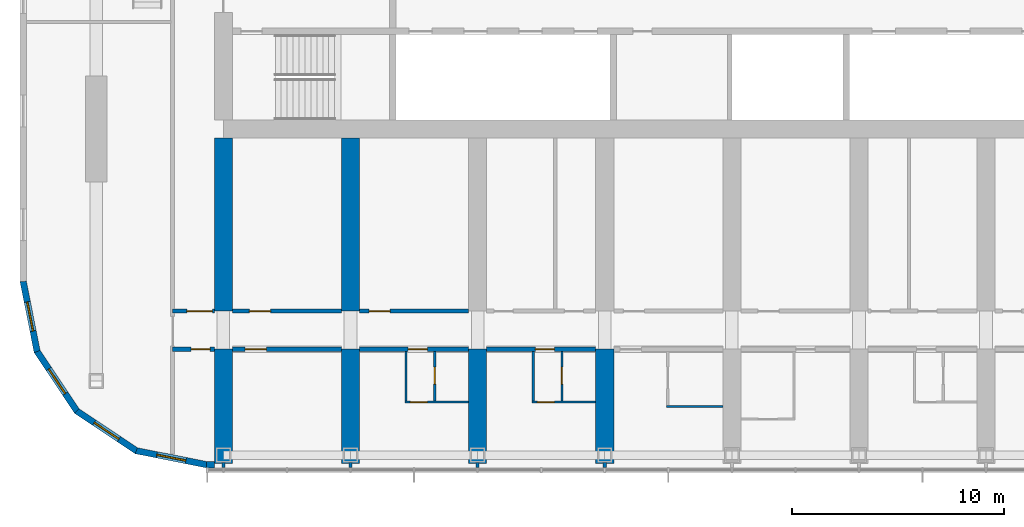
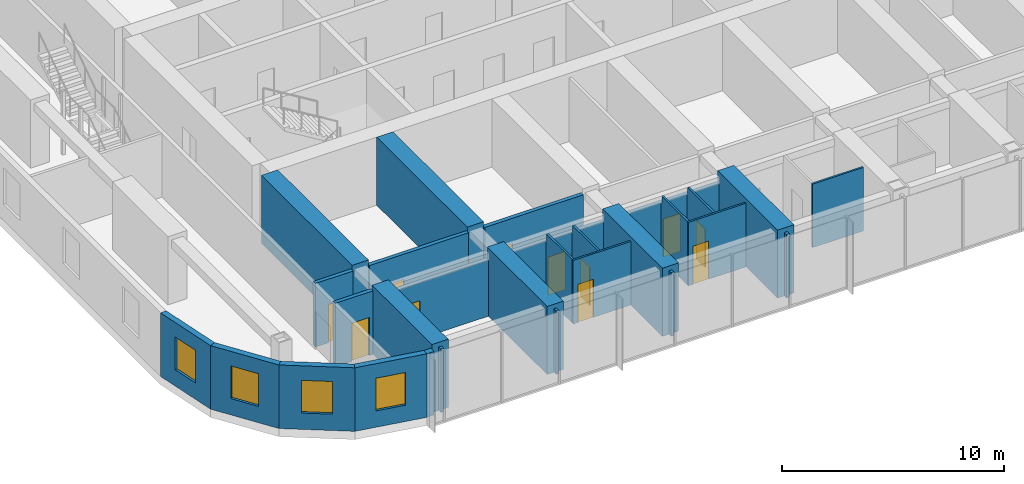
# One storey, part 12 of 27: 29 walls, 11 doors, 4 windows, 15 openings.
"""IFC4 building model written with IfcOpenShell, lengths in metres."""

from ifc_helpers import new_model, si_unit, direction, frame, frame_2d, origin, place, context, subcontext, project, spatial, polyline, rectangle, outline, extrude, material, layer, layer_set, type_object, element, fill, save


model = new_model("IFC4")

# Units and contexts
model_context = context("Model", 3, precision=1e-05, world=origin(), true_north=direction((0.0, 1.0)))
body_context = subcontext(model_context, "Body", "Model", "MODEL_VIEW")
ifc_project = project(units=[si_unit("LENGTHUNIT", "METRE"), si_unit("AREAUNIT", "SQUARE_METRE"), si_unit("VOLUMEUNIT", "CUBIC_METRE"), si_unit("PLANEANGLEUNIT", "RADIAN"), si_unit("MASSUNIT", "GRAM", prefix="KILO")], contexts=[model_context])

# Site, building, storey
site_placement = place(None, origin())
site = spatial("IfcSite", under=ifc_project, at=site_placement, CompositionType="ELEMENT")
building_placement = place(site_placement, origin())
building = spatial("IfcBuilding", under=site, at=building_placement, Name="Orbita Commons", CompositionType="ELEMENT")
storey_placement = place(building_placement, frame((0.0, 0.0, 178.60009765625)))
storey = spatial("IfcBuildingStorey", under=building, at=storey_placement, Name="L44", CompositionType="ELEMENT", Elevation=178.60009765625)

# Wall, opening, door
ifc_material_1 = material(Name="Concrete blockwork", Category="masonry")
ifc_layer_1 = layer(ifc_material_1, 0.199951171875)
ifc_layer_set_1 = layer_set([ifc_layer_1], Name="Concrete blockwork")
wall_type_1 = type_object("IfcWallType", Name="Corridor wall 200 blockwork", PredefinedType="SOLIDWALL", material=ifc_layer_set_1)
wall_1_placement = place(storey_placement, frame((15.60009765625, 15.39990234375, 0.0), z_axis=(0.0, 0.0, 1.0), x_axis=(1.0, 0.0, 0.0)))
wall_1 = element("IfcWall", 1, at=wall_1_placement, inside=storey, type_object=wall_type_1, Name="Corridor wall 200 blockwork L44", PredefinedType="SOLIDWALL", context=body_context, shape_type="SweptSolid", body=[
    extrude(rectangle(XDim=1.974853515625, YDim=0.199951171875, at=frame_2d((0.9873046875, 0.0))), origin(), (0.0, 0.0, 1.0), 3.5),
])
opening_1_placement = place(wall_1_placement, frame((0.875, 0.0, 0.0)))
opening_1 = element("IfcOpeningElement", 2, at=opening_1_placement, cuts=wall_1, Name="Opening D05", PredefinedType="OPENING", context=body_context, shape_type="SweptSolid", body=[
    extrude(rectangle(XDim=0.89990234375, YDim=2.10009765625, at=frame_2d((0.449951171875, 1.050048828125))), frame((0.0, 0.10986328125, 0.0), z_axis=(0.0, -1.0, 0.0), x_axis=(1.0, 0.0, 0.0)), (0.0, 0.0, 1.0), 0.219970703125),
])
ifc_material_2 = material(Name="Steel-faced fire door leaf", Category="steel")
door_type_1 = type_object("IfcDoorType", Name="Service door 20 min 900x2100", OperationType="SINGLE_SWING_LEFT", PredefinedType="DOOR", material=ifc_material_2)
door_1_placement = place(opening_1_placement, origin())
door_1 = element("IfcDoor", 3, at=door_1_placement, inside=storey, type_object=door_type_1, Name="Linen store L44-KWS door", OperationType="SINGLE_SWING_LEFT", OverallHeight=2.10009765625, OverallWidth=0.89990234375, PredefinedType="DOOR", context=body_context, shape_type="SweptSolid", body=[
    extrude(rectangle(XDim=0.89990234375, YDim=2.10009765625, at=frame_2d((0.449951171875, 1.050048828125))), frame((0.0, 0.02490234375, 0.0), z_axis=(0.0, -1.0, 0.0), x_axis=(1.0, 0.0, 0.0)), (0.0, 0.0, 1.0), 0.050048828125),
])
fill(opening_1, door_1)

wall_2_placement = place(storey_placement, frame((18.425048828125, 15.39990234375, 0.0), z_axis=(0.0, 0.0, 1.0), x_axis=(1.0, 0.0, 0.0)))
wall_2 = element("IfcWall", 4, at=wall_2_placement, inside=storey, type_object=wall_type_1, Name="Corridor wall 200 blockwork L44", PredefinedType="SOLIDWALL", context=body_context, shape_type="SweptSolid", body=[
    extrude(outline(polyline([(0.0, 0.0), (5.14990234375, 0.0), (5.14990234375, 3.099853515625), (0.0, 3.099853515625), (0.0, 0.0)])), frame((0.0, 0.10009765625, 0.0), z_axis=(0.0, -1.0, 0.0), x_axis=(1.0, 0.0, 0.0)), (0.0, 0.0, 1.0), 0.199951171875),
])
opening_2_placement = place(wall_2_placement, frame((0.60009765625, 0.0, 0.0)))
opening_2 = element("IfcOpeningElement", 5, at=opening_2_placement, cuts=wall_2, Name="Opening D06", PredefinedType="OPENING", context=body_context, shape_type="SweptSolid", body=[
    extrude(rectangle(XDim=1.0, YDim=2.10009765625, at=frame_2d((0.5, 1.050048828125))), frame((0.0, 0.10986328125, 0.0), z_axis=(0.0, -1.0, 0.0), x_axis=(1.0, 0.0, 0.0)), (0.0, 0.0, 1.0), 0.219970703125),
])
ifc_material_3 = material(Name="Steel-faced fire door leaf", Category="steel")
door_type_2 = type_object("IfcDoorType", Name="Corridor door 20 min 1000x2100", OperationType="SINGLE_SWING_LEFT", PredefinedType="DOOR", material=ifc_material_3)
door_2_placement = place(opening_2_placement, origin())
door_2 = element("IfcDoor", 6, at=door_2_placement, inside=storey, type_object=door_type_2, Name="Mountain-view lounge L44-S00 door", OperationType="SINGLE_SWING_LEFT", OverallHeight=2.10009765625, OverallWidth=1.0, PredefinedType="DOOR", context=body_context, shape_type="SweptSolid", body=[
    extrude(rectangle(XDim=1.0, YDim=2.10009765625, at=frame_2d((0.5, 1.050048828125))), frame((0.0, 0.02490234375, 0.0), z_axis=(0.0, -1.0, 0.0), x_axis=(1.0, 0.0, 0.0)), (0.0, 0.0, 1.0), 0.050048828125),
])
fill(opening_2, door_2)

wall_3_placement = place(storey_placement, frame((24.425048828125, 15.39990234375, 0.0), z_axis=(0.0, 0.0, 1.0), x_axis=(1.0, 0.0, 0.0)))
wall_3 = element("IfcWall", 7, at=wall_3_placement, inside=storey, type_object=wall_type_1, Name="Corridor wall 200 blockwork L44", PredefinedType="SOLIDWALL", context=body_context, shape_type="SweptSolid", body=[
    extrude(outline(polyline([(0.0, 0.0), (5.14990234375, 0.0), (5.14990234375, 3.099853515625), (0.0, 3.099853515625), (0.0, 0.0)])), frame((0.0, 0.10009765625, 0.0), z_axis=(0.0, -1.0, 0.0), x_axis=(1.0, 0.0, 0.0)), (0.0, 0.0, 1.0), 0.199951171875),
])
opening_3_placement = place(wall_3_placement, frame((2.300048828125, 0.0, 0.0)))
opening_3 = element("IfcOpeningElement", 8, at=opening_3_placement, cuts=wall_3, Name="Opening D11", PredefinedType="OPENING", context=body_context, shape_type="SweptSolid", body=[
    extrude(rectangle(XDim=0.89990234375, YDim=2.10009765625, at=frame_2d((0.449951171875, 1.050048828125))), frame((0.0, 0.10986328125, 0.0), z_axis=(0.0, -1.0, 0.0), x_axis=(1.0, 0.0, 0.0)), (0.0, 0.0, 1.0), 0.219970703125),
])
ifc_material_4 = material(Name="Steel-faced fire door leaf", Category="steel")
door_type_3 = type_object("IfcDoorType", Name="Corridor door 20 min 900x2100", OperationType="SINGLE_SWING_LEFT", PredefinedType="DOOR", material=ifc_material_4)
door_3_placement = place(opening_3_placement, origin())
door_3 = element("IfcDoor", 9, at=door_3_placement, inside=storey, type_object=door_type_3, Name="Studio flat L44-S02 entrance door", OperationType="SINGLE_SWING_LEFT", OverallHeight=2.10009765625, OverallWidth=0.89990234375, PredefinedType="DOOR", context=body_context, shape_type="SweptSolid", body=[
    extrude(rectangle(XDim=0.89990234375, YDim=2.10009765625, at=frame_2d((0.449951171875, 1.050048828125))), frame((0.0, 0.02490234375, 0.0), z_axis=(0.0, -1.0, 0.0), x_axis=(1.0, 0.0, 0.0)), (0.0, 0.0, 1.0), 0.050048828125),
])
fill(opening_3, door_3)

wall_4_placement = place(storey_placement, frame((30.425048828125, 15.39990234375, 0.0), z_axis=(0.0, 0.0, 1.0), x_axis=(1.0, 0.0, 0.0)))
wall_4 = element("IfcWall", 10, at=wall_4_placement, inside=storey, type_object=wall_type_1, Name="Corridor wall 200 blockwork L44", PredefinedType="SOLIDWALL", context=body_context, shape_type="SweptSolid", body=[
    extrude(outline(polyline([(0.0, 0.0), (5.14990234375, 0.0), (5.14990234375, 3.099853515625), (0.0, 3.099853515625), (0.0, 0.0)])), frame((0.0, 0.10009765625, 0.0), z_axis=(0.0, -1.0, 0.0), x_axis=(1.0, 0.0, 0.0)), (0.0, 0.0, 1.0), 0.199951171875),
])
opening_4_placement = place(wall_4_placement, frame((2.300048828125, 0.0, 0.0)))
opening_4 = element("IfcOpeningElement", 11, at=opening_4_placement, cuts=wall_4, Name="Opening D11", PredefinedType="OPENING", context=body_context, shape_type="SweptSolid", body=[
    extrude(rectangle(XDim=0.89990234375, YDim=2.10009765625, at=frame_2d((0.449951171875, 1.050048828125))), frame((0.0, 0.10986328125, 0.0), z_axis=(0.0, -1.0, 0.0), x_axis=(1.0, 0.0, 0.0)), (0.0, 0.0, 1.0), 0.219970703125),
])
door_4_placement = place(opening_4_placement, origin())
door_4 = element("IfcDoor", 12, at=door_4_placement, inside=storey, type_object=door_type_3, Name="Studio flat L44-S04 entrance door", OperationType="SINGLE_SWING_LEFT", OverallHeight=2.10009765625, OverallWidth=0.89990234375, PredefinedType="DOOR", context=body_context, shape_type="SweptSolid", body=[
    extrude(rectangle(XDim=0.89990234375, YDim=2.10009765625, at=frame_2d((0.449951171875, 1.050048828125))), frame((0.0, 0.02490234375, 0.0), z_axis=(0.0, -1.0, 0.0), x_axis=(1.0, 0.0, 0.0)), (0.0, 0.0, 1.0), 0.050048828125),
])
fill(opening_4, door_4)

ifc_material_5 = material(Name="Hollow concrete block 200", Category="concrete")
ifc_layer_2 = layer(ifc_material_5, 0.199951171875)
ifc_layer_set_2 = layer_set([ifc_layer_2], Name="Hollow concrete block 200")
wall_type_2 = type_object("IfcWallType", Name="Corridor wall 200 hollow concrete block", PredefinedType="SOLIDWALL", material=ifc_layer_set_2)
wall_5_placement = place(storey_placement, frame((15.60009765625, 17.199951171875, 0.0), z_axis=(0.0, 0.0, 1.0), x_axis=(1.0, 0.0, 0.0)))
wall_5 = element("IfcWall", 13, at=wall_5_placement, inside=storey, type_object=wall_type_2, Name="Corridor wall 200 hollow concrete block L44", PredefinedType="SOLIDWALL", context=body_context, shape_type="SweptSolid", body=[
    extrude(rectangle(XDim=1.974853515625, YDim=0.199951171875, at=frame_2d((0.9873046875, 0.0))), origin(), (0.0, 0.0, 1.0), 3.5),
])
opening_5_placement = place(wall_5_placement, frame((0.675048828125, 0.0, 0.0)))
opening_5 = element("IfcOpeningElement", 14, at=opening_5_placement, cuts=wall_5, Name="Opening D12", PredefinedType="OPENING", context=body_context, shape_type="SweptSolid", body=[
    extrude(rectangle(XDim=1.199951171875, YDim=2.10009765625, at=frame_2d((0.60009765625, 1.050048828125))), frame((0.0, 0.10986328125, 0.0), z_axis=(0.0, -1.0, 0.0), x_axis=(1.0, 0.0, 0.0)), (0.0, 0.0, 1.0), 0.219970703125),
])
ifc_material_6 = material(Name="Steel-faced fire door leaf", Category="steel")
door_type_4 = type_object("IfcDoorType", Name="Double corridor door 20 min 1200x2100", OperationType="DOUBLE_DOOR_SINGLE_SWING", PredefinedType="DOOR", material=ifc_material_6)
door_5_placement = place(opening_5_placement, origin())
door_5 = element("IfcDoor", 15, at=door_5_placement, inside=storey, type_object=door_type_4, Name="Cross corridor doors", OperationType="DOUBLE_DOOR_SINGLE_SWING", OverallHeight=2.10009765625, OverallWidth=1.199951171875, PredefinedType="DOOR", context=body_context, shape_type="SweptSolid", body=[
    extrude(rectangle(XDim=1.199951171875, YDim=2.10009765625, at=frame_2d((0.60009765625, 1.050048828125))), frame((0.0, 0.02490234375, 0.0), z_axis=(0.0, -1.0, 0.0), x_axis=(1.0, 0.0, 0.0)), (0.0, 0.0, 1.0), 0.050048828125),
])
fill(opening_5, door_5)

wall_6_placement = place(storey_placement, frame((18.425048828125, 17.199951171875, 0.0), z_axis=(0.0, 0.0, 1.0), x_axis=(1.0, 0.0, 0.0)))
wall_6 = element("IfcWall", 16, at=wall_6_placement, inside=storey, type_object=wall_type_2, Name="Corridor wall 200 hollow concrete block L44", PredefinedType="SOLIDWALL", context=body_context, shape_type="SweptSolid", body=[
    extrude(rectangle(XDim=5.14990234375, YDim=0.199951171875, at=frame_2d((2.574951171875, 0.0))), origin(), (0.0, 0.0, 1.0), 3.5),
])
opening_6_placement = place(wall_6_placement, frame((0.800048828125, 0.0, 0.0)))
opening_6 = element("IfcOpeningElement", 17, at=opening_6_placement, cuts=wall_6, Name="Opening D06", PredefinedType="OPENING", context=body_context, shape_type="SweptSolid", body=[
    extrude(rectangle(XDim=1.0, YDim=2.10009765625, at=frame_2d((0.5, 1.050048828125))), frame((0.0, 0.10986328125, 0.0), z_axis=(0.0, -1.0, 0.0), x_axis=(1.0, 0.0, 0.0)), (0.0, 0.0, 1.0), 0.219970703125),
])
door_6_placement = place(opening_6_placement, origin())
door_6 = element("IfcDoor", 18, at=door_6_placement, inside=storey, type_object=door_type_2, Name="Bulk and luggage store L44-BDS18 door", OperationType="SINGLE_SWING_LEFT", OverallHeight=2.10009765625, OverallWidth=1.0, PredefinedType="DOOR", context=body_context, shape_type="SweptSolid", body=[
    extrude(rectangle(XDim=1.0, YDim=2.10009765625, at=frame_2d((0.5, 1.050048828125))), frame((0.0, 0.02490234375, 0.0), z_axis=(0.0, -1.0, 0.0), x_axis=(1.0, 0.0, 0.0)), (0.0, 0.0, 1.0), 0.050048828125),
])
fill(opening_6, door_6)

wall_7_placement = place(storey_placement, frame((24.425048828125, 17.199951171875, 0.0), z_axis=(0.0, 0.0, 1.0), x_axis=(1.0, 0.0, 0.0)))
wall_7 = element("IfcWall", 19, at=wall_7_placement, inside=storey, type_object=wall_type_2, Name="Corridor wall 200 hollow concrete block L44", PredefinedType="SOLIDWALL", context=body_context, shape_type="SweptSolid", body=[
    extrude(rectangle(XDim=5.14990234375, YDim=0.199951171875, at=frame_2d((2.574951171875, 0.0))), origin(), (0.0, 0.0, 1.0), 3.5),
])
opening_7_placement = place(wall_7_placement, frame((0.449951171875, 0.0, 0.0)))
opening_7 = element("IfcOpeningElement", 20, at=opening_7_placement, cuts=wall_7, Name="Opening D06", PredefinedType="OPENING", context=body_context, shape_type="SweptSolid", body=[
    extrude(rectangle(XDim=1.0, YDim=2.10009765625, at=frame_2d((0.5, 1.050048828125))), frame((0.0, 0.10986328125, 0.0), z_axis=(0.0, -1.0, 0.0), x_axis=(1.0, 0.0, 0.0)), (0.0, 0.0, 1.0), 0.219970703125),
])
door_7_placement = place(opening_7_placement, origin())
door_7 = element("IfcDoor", 21, at=door_7_placement, inside=storey, type_object=door_type_2, Name="Parcel and post room L44-BDS24 door", OperationType="SINGLE_SWING_LEFT", OverallHeight=2.10009765625, OverallWidth=1.0, PredefinedType="DOOR", context=body_context, shape_type="SweptSolid", body=[
    extrude(rectangle(XDim=1.0, YDim=2.10009765625, at=frame_2d((0.5, 1.050048828125))), frame((0.0, 0.02490234375, 0.0), z_axis=(0.0, -1.0, 0.0), x_axis=(1.0, 0.0, 0.0)), (0.0, 0.0, 1.0), 0.050048828125),
])
fill(opening_7, door_7)

# Walls
ifc_material_7 = material(Name="Concrete C50/60", Category="concrete")
ifc_layer_3 = layer(ifc_material_7, 0.85009765625)
ifc_layer_set_3 = layer_set([ifc_layer_3], Name="Concrete C50/60")
wall_type_3 = type_object("IfcWallType", Name="Cross wall 850 C50/60", PredefinedType="SHEAR", material=ifc_layer_set_3)
wall_8_placement = place(storey_placement, frame((18.0, 10.0, 0.0), z_axis=(0.0, 0.0, 1.0), x_axis=(0.0, 1.0, 0.0)))
element("IfcWall", 22, at=wall_8_placement, inside=storey, type_object=wall_type_3, Name="Cross wall 4 south outer L44", PredefinedType="SHEAR", context=body_context, shape_type="SweptSolid", body=[
    extrude(rectangle(XDim=5.39990234375, YDim=0.85009765625, at=frame_2d((2.699951171875, 0.0))), origin(), (0.0, 0.0, 1.0), 3.75),
])
wall_9_placement = place(storey_placement, frame((18.0, 17.199951171875, 0.0), z_axis=(0.0, 0.0, 1.0), x_axis=(0.0, 1.0, 0.0)))
element("IfcWall", 23, at=wall_9_placement, inside=storey, type_object=wall_type_3, Name="Cross wall 4 south inner L44", PredefinedType="SHEAR", context=body_context, shape_type="SweptSolid", body=[
    extrude(rectangle(XDim=8.175048828125, YDim=0.85009765625, at=frame_2d((4.08740234375, 0.0))), origin(), (0.0, 0.0, 1.0), 3.75),
])
wall_10_placement = place(storey_placement, frame((24.0, 10.0, 0.0), z_axis=(0.0, 0.0, 1.0), x_axis=(0.0, 1.0, 0.0)))
element("IfcWall", 24, at=wall_10_placement, inside=storey, type_object=wall_type_3, Name="Cross wall 5 south outer L44", PredefinedType="SHEAR", context=body_context, shape_type="SweptSolid", body=[
    extrude(rectangle(XDim=5.39990234375, YDim=0.85009765625, at=frame_2d((2.699951171875, 0.0))), origin(), (0.0, 0.0, 1.0), 3.75),
])
wall_11_placement = place(storey_placement, frame((24.0, 17.199951171875, 0.0), z_axis=(0.0, 0.0, 1.0), x_axis=(0.0, 1.0, 0.0)))
element("IfcWall", 25, at=wall_11_placement, inside=storey, type_object=wall_type_3, Name="Cross wall 5 south inner L44", PredefinedType="SHEAR", context=body_context, shape_type="SweptSolid", body=[
    extrude(rectangle(XDim=8.175048828125, YDim=0.85009765625, at=frame_2d((4.08740234375, 0.0))), origin(), (0.0, 0.0, 1.0), 3.75),
])
for number, where, z_axis, x_axis, name in (
    (26, (30.0, 10.0, 0.0), (0.0, 0.0, 1.0), (0.0, 1.0, 0.0), "Cross wall 6 south outer L44"),
    (27, (36.0, 10.0, 0.0), (0.0, 0.0, 1.0), (0.0, 1.0, 0.0), "Cross wall 7 south outer L44"),
):
    element("IfcWall", number, at=place(storey_placement, frame(where, z_axis=z_axis, x_axis=x_axis)), inside=storey, type_object=wall_type_3, Name=name, PredefinedType="SHEAR", context=body_context, shape_type="SweptSolid", body=[
        extrude(rectangle(XDim=5.39990234375, YDim=0.85009765625, at=frame_2d((2.699951171875, 0.0))), origin(), (0.0, 0.0, 1.0), 3.75),
    ])

# Wall, opening, door
ifc_material_8 = material(Name="Moisture-resistant plasterboard on steel studs", Category="steel")
ifc_layer_4 = layer(ifc_material_8, 0.10009765625)
ifc_layer_set_4 = layer_set([ifc_layer_4], Name="Moisture-resistant plasterboard on steel studs")
wall_type_4 = type_object("IfcWallType", Name="En-suite partition 100", PredefinedType="PARTITIONING", material=ifc_layer_set_4)
wall_12_placement = place(storey_placement, frame((29.574951171875, 12.89990234375, 0.0), z_axis=(0.0, 0.0, 1.0), x_axis=(-1.0, 0.0, 0.0)))
wall_12 = element("IfcWall", 28, at=wall_12_placement, inside=storey, type_object=wall_type_4, Name="En-suite partition 100 L44", PredefinedType="PARTITIONING", context=body_context, shape_type="SweptSolid", body=[
    extrude(rectangle(XDim=3.0, YDim=0.10009765625, at=frame_2d((1.5, 0.0))), origin(), (0.0, 0.0, 1.0), 3.5),
])
opening_8_placement = place(wall_12_placement, frame((1.949951171875, 0.0, 0.0)))
opening_8 = element("IfcOpeningElement", 29, at=opening_8_placement, cuts=wall_12, Name="Opening D16", PredefinedType="OPENING", context=body_context, shape_type="SweptSolid", body=[
    extrude(rectangle(XDim=0.800048828125, YDim=2.10009765625, at=frame_2d((0.39990234375, 1.050048828125))), frame((0.0, 0.06005859375, 0.0), z_axis=(0.0, -1.0, 0.0), x_axis=(1.0, 0.0, 0.0)), (0.0, 0.0, 1.0), 0.1201171875),
])
ifc_material_9 = material(Name="Laminated timber door leaf", Category="wood")
door_type_5 = type_object("IfcDoorType", Name="En-suite door 800x2100", OperationType="SINGLE_SWING_RIGHT", PredefinedType="DOOR", material=ifc_material_9)
door_8_placement = place(opening_8_placement, origin())
door_8 = element("IfcDoor", 30, at=door_8_placement, inside=storey, type_object=door_type_5, Name="Studio flat L44-S02 door", OperationType="SINGLE_SWING_RIGHT", OverallHeight=2.10009765625, OverallWidth=0.800048828125, PredefinedType="DOOR", context=body_context, shape_type="SweptSolid", body=[
    extrude(rectangle(XDim=0.800048828125, YDim=2.10009765625, at=frame_2d((0.39990234375, 1.050048828125))), frame((0.0, 0.02490234375, 0.0), z_axis=(0.0, -1.0, 0.0), x_axis=(1.0, 0.0, 0.0)), (0.0, 0.0, 1.0), 0.050048828125),
])
fill(opening_8, door_8)

# Wall
wall_13_placement = place(storey_placement, frame((26.625, 12.949951171875, 0.0), z_axis=(0.0, 0.0, 1.0), x_axis=(0.0, 1.0, 0.0)))
element("IfcWall", 31, at=wall_13_placement, inside=storey, type_object=wall_type_4, Name="En-suite partition 100 L44", PredefinedType="PARTITIONING", context=body_context, shape_type="SweptSolid", body=[
    extrude(outline(polyline([(0.0, 0.0), (2.35009765625, 0.0), (2.35009765625, 3.099853515625), (2.302001953125, 3.099853515625), (2.300048828125, 3.5), (0.0, 3.5), (0.0, 0.0)])), frame((0.0, 0.050048828125, 0.0), z_axis=(0.0, -1.0, 0.0), x_axis=(1.0, 0.0, 0.0)), (0.0, 0.0, 1.0), 0.10009765625),
])

# Wall, opening, door
wall_14_placement = place(storey_placement, frame((27.97509765625, 12.949951171875, 0.0), z_axis=(0.0, 0.0, 1.0), x_axis=(0.0, 1.0, 0.0)))
wall_14 = element("IfcWall", 32, at=wall_14_placement, inside=storey, type_object=wall_type_4, Name="En-suite partition 100 L44", PredefinedType="PARTITIONING", context=body_context, shape_type="SweptSolid", body=[
    extrude(outline(polyline([(0.0, 0.0), (2.35009765625, 0.0), (2.35009765625, 3.099853515625), (2.302001953125, 3.099853515625), (2.300048828125, 3.5), (0.0, 3.5), (0.0, 0.0)])), frame((0.0, 0.050048828125, 0.0), z_axis=(0.0, -1.0, 0.0), x_axis=(1.0, 0.0, 0.0)), (0.0, 0.0, 1.0), 0.10009765625),
])
opening_9_placement = place(wall_14_placement, frame((0.800048828125, 0.0, 0.0)))
opening_9 = element("IfcOpeningElement", 33, at=opening_9_placement, cuts=wall_14, Name="Opening D16", PredefinedType="OPENING", context=body_context, shape_type="SweptSolid", body=[
    extrude(rectangle(XDim=0.800048828125, YDim=2.10009765625, at=frame_2d((0.39990234375, 1.050048828125))), frame((0.0, 0.06005859375, 0.0), z_axis=(0.0, -1.0, 0.0), x_axis=(1.0, 0.0, 0.0)), (0.0, 0.0, 1.0), 0.1201171875),
])
door_9_placement = place(opening_9_placement, origin())
door_9 = element("IfcDoor", 34, at=door_9_placement, inside=storey, type_object=door_type_5, Name="Studio flat shower room L44-S02 door", OperationType="SINGLE_SWING_RIGHT", OverallHeight=2.10009765625, OverallWidth=0.800048828125, PredefinedType="DOOR", context=body_context, shape_type="SweptSolid", body=[
    extrude(rectangle(XDim=0.800048828125, YDim=2.10009765625, at=frame_2d((0.39990234375, 1.050048828125))), frame((0.0, 0.02490234375, 0.0), z_axis=(0.0, -1.0, 0.0), x_axis=(1.0, 0.0, 0.0)), (0.0, 0.0, 1.0), 0.050048828125),
])
fill(opening_9, door_9)

wall_15_placement = place(storey_placement, frame((35.574951171875, 12.89990234375, 0.0), z_axis=(0.0, 0.0, 1.0), x_axis=(-1.0, 0.0, 0.0)))
wall_15 = element("IfcWall", 35, at=wall_15_placement, inside=storey, type_object=wall_type_4, Name="En-suite partition 100 L44", PredefinedType="PARTITIONING", context=body_context, shape_type="SweptSolid", body=[
    extrude(rectangle(XDim=3.0, YDim=0.10009765625, at=frame_2d((1.5, 0.0))), origin(), (0.0, 0.0, 1.0), 3.5),
])
opening_10_placement = place(wall_15_placement, frame((1.949951171875, 0.0, 0.0)))
opening_10 = element("IfcOpeningElement", 36, at=opening_10_placement, cuts=wall_15, Name="Opening D16", PredefinedType="OPENING", context=body_context, shape_type="SweptSolid", body=[
    extrude(rectangle(XDim=0.800048828125, YDim=2.10009765625, at=frame_2d((0.39990234375, 1.050048828125))), frame((0.0, 0.06005859375, 0.0), z_axis=(0.0, -1.0, 0.0), x_axis=(1.0, 0.0, 0.0)), (0.0, 0.0, 1.0), 0.1201171875),
])
door_10_placement = place(opening_10_placement, origin())
door_10 = element("IfcDoor", 37, at=door_10_placement, inside=storey, type_object=door_type_5, Name="Studio flat L44-S04 door", OperationType="SINGLE_SWING_RIGHT", OverallHeight=2.10009765625, OverallWidth=0.800048828125, PredefinedType="DOOR", context=body_context, shape_type="SweptSolid", body=[
    extrude(rectangle(XDim=0.800048828125, YDim=2.10009765625, at=frame_2d((0.39990234375, 1.050048828125))), frame((0.0, 0.02490234375, 0.0), z_axis=(0.0, -1.0, 0.0), x_axis=(1.0, 0.0, 0.0)), (0.0, 0.0, 1.0), 0.050048828125),
])
fill(opening_10, door_10)

# Wall
wall_16_placement = place(storey_placement, frame((32.625, 12.949951171875, 0.0), z_axis=(0.0, 0.0, 1.0), x_axis=(0.0, 1.0, 0.0)))
element("IfcWall", 38, at=wall_16_placement, inside=storey, type_object=wall_type_4, Name="En-suite partition 100 L44", PredefinedType="PARTITIONING", context=body_context, shape_type="SweptSolid", body=[
    extrude(outline(polyline([(0.0, 0.0), (2.35009765625, 0.0), (2.35009765625, 3.099853515625), (2.302001953125, 3.099853515625), (2.300048828125, 3.5), (0.0, 3.5), (0.0, 0.0)])), frame((0.0, 0.050048828125, 0.0), z_axis=(0.0, -1.0, 0.0), x_axis=(1.0, 0.0, 0.0)), (0.0, 0.0, 1.0), 0.10009765625),
])

# Wall, opening, door
wall_17_placement = place(storey_placement, frame((33.97509765625, 12.949951171875, 0.0), z_axis=(0.0, 0.0, 1.0), x_axis=(0.0, 1.0, 0.0)))
wall_17 = element("IfcWall", 39, at=wall_17_placement, inside=storey, type_object=wall_type_4, Name="En-suite partition 100 L44", PredefinedType="PARTITIONING", context=body_context, shape_type="SweptSolid", body=[
    extrude(outline(polyline([(0.0, 0.0), (2.35009765625, 0.0), (2.35009765625, 3.099853515625), (2.302001953125, 3.099853515625), (2.300048828125, 3.5), (0.0, 3.5), (0.0, 0.0)])), frame((0.0, 0.050048828125, 0.0), z_axis=(0.0, -1.0, 0.0), x_axis=(1.0, 0.0, 0.0)), (0.0, 0.0, 1.0), 0.10009765625),
])
opening_11_placement = place(wall_17_placement, frame((0.800048828125, 0.0, 0.0)))
opening_11 = element("IfcOpeningElement", 40, at=opening_11_placement, cuts=wall_17, Name="Opening D16", PredefinedType="OPENING", context=body_context, shape_type="SweptSolid", body=[
    extrude(rectangle(XDim=0.800048828125, YDim=2.10009765625, at=frame_2d((0.39990234375, 1.050048828125))), frame((0.0, 0.06005859375, 0.0), z_axis=(0.0, -1.0, 0.0), x_axis=(1.0, 0.0, 0.0)), (0.0, 0.0, 1.0), 0.1201171875),
])
door_11_placement = place(opening_11_placement, origin())
door_11 = element("IfcDoor", 41, at=door_11_placement, inside=storey, type_object=door_type_5, Name="Studio flat shower room L44-S04 door", OperationType="SINGLE_SWING_RIGHT", OverallHeight=2.10009765625, OverallWidth=0.800048828125, PredefinedType="DOOR", context=body_context, shape_type="SweptSolid", body=[
    extrude(rectangle(XDim=0.800048828125, YDim=2.10009765625, at=frame_2d((0.39990234375, 1.050048828125))), frame((0.0, 0.02490234375, 0.0), z_axis=(0.0, -1.0, 0.0), x_axis=(1.0, 0.0, 0.0)), (0.0, 0.0, 1.0), 0.050048828125),
])
fill(opening_11, door_11)

# Walls
wall_18_placement = place(storey_placement, frame((38.925048828125, 12.699951171875, 0.0), z_axis=(0.0, 0.0, 1.0), x_axis=(1.0, 0.0, 0.0)))
element("IfcWall", 42, at=wall_18_placement, inside=storey, type_object=wall_type_4, Name="En-suite partition 100 L44", PredefinedType="PARTITIONING", context=body_context, shape_type="SweptSolid", body=[
    extrude(rectangle(XDim=2.64990234375, YDim=0.10009765625, at=frame_2d((1.324951171875, 0.0))), origin(), (0.0, 0.0, 1.0), 3.5),
])
ifc_material_10 = material(Name="Gypsum plasterboard on steel studs", Category="steel")
ifc_layer_5 = layer(ifc_material_10, 0.14990234375)
ifc_layer_set_5 = layer_set([ifc_layer_5], Name="Gypsum plasterboard on steel studs")
wall_type_5 = type_object("IfcWallType", Name="Partition 150 plasterboard", PredefinedType="PARTITIONING", material=ifc_layer_set_5)
for number, where, z_axis, x_axis, name in (
    (43, (18.0, 10.050048828125, 0.0), (0.0, 0.0, 1.0), (0.0, -1.0, 0.0), "Partition 150 plasterboard L44"),
    (44, (24.0, 10.050048828125, 0.0), (0.0, 0.0, 1.0), (0.0, -1.0, 0.0), "Partition 150 plasterboard L44"),
    (45, (30.0, 10.050048828125, 0.0), (0.0, 0.0, 1.0), (0.0, -1.0, 0.0), "Partition 150 plasterboard L44"),
    (46, (36.0, 10.050048828125, 0.0), (0.0, 0.0, 1.0), (0.0, -1.0, 0.0), "Partition 150 plasterboard L44"),
):
    element("IfcWall", number, at=place(storey_placement, frame(where, z_axis=z_axis, x_axis=x_axis)), inside=storey, type_object=wall_type_5, Name=name, PredefinedType="PARTITIONING", context=body_context, shape_type="SweptSolid", body=[
        extrude(rectangle(XDim=0.239990234375, YDim=0.14990234375, at=frame_2d((0.1201171875, 0.0))), origin(), (0.0, 0.0, 1.0), 3.5),
    ])

# Wall, opening, window
ifc_material_11 = material(Name="Precast concrete C40/50, white board-marked finish", Category="concrete")
ifc_layer_6 = layer(ifc_material_11, 0.300048828125)
ifc_layer_set_6 = layer_set([ifc_layer_6], Name="Precast concrete C40/50, white board-marked finish")
wall_type_6 = type_object("IfcWallType", Name="Precast concrete end shield 300", PredefinedType="SOLIDWALL", material=ifc_layer_set_6)
wall_19_placement = place(storey_placement, frame((8.550048828125, 18.60009765625, 0.0), z_axis=(0.0, 0.0, 1.0), x_axis=(0.19508664885, -0.980786011034, 0.0)))
wall_19 = element("IfcWall", 47, at=wall_19_placement, inside=storey, type_object=wall_type_6, Name="End shield SW chord 1 L44", PredefinedType="SOLIDWALL", context=body_context, shape_type="SweptSolid", body=[
    extrude(outline(polyline([(-0.014892578125, -0.14990234375), (3.405029296875, -0.14990234375), (3.345458984375, 0.14990234375), (0.014892578125, 0.14990234375), (-0.014892578125, -0.14990234375)])), origin(), (0.0, 0.0, 1.0), 3.5),
])
opening_12_placement = place(wall_19_placement, frame((0.987548828125, 0.0, 0.89990234375)))
opening_12 = element("IfcOpeningElement", 48, at=opening_12_placement, cuts=wall_19, Name="Opening W02", PredefinedType="OPENING", context=body_context, shape_type="SweptSolid", body=[
    extrude(rectangle(XDim=1.39990234375, YDim=1.800048828125, at=frame_2d((0.699951171875, 0.89990234375))), frame((0.0, 0.159912109375, 0.0), z_axis=(0.0, -1.0, 0.0), x_axis=(1.0, 0.0, 0.0)), (0.0, 0.0, 1.0), 0.320068359375),
])
ifc_material_12 = material(Name="Aluminium frame, clear double glazing", Category="aluminium")
window_type = type_object("IfcWindowType", Name="Deep-set window 1400x1800", PartitioningType="SINGLE_PANEL", PredefinedType="WINDOW", material=ifc_material_12)
window_1_placement = place(opening_12_placement, origin())
window_1 = element("IfcWindow", 49, at=window_1_placement, inside=storey, type_object=window_type, Name="Window L44-SW0", OverallHeight=1.800048828125, OverallWidth=1.39990234375, PartitioningType="SINGLE_PANEL", PredefinedType="WINDOW", context=body_context, shape_type="SweptSolid", body=[
    extrude(rectangle(XDim=1.39990234375, YDim=1.800048828125, at=frame_2d((0.699951171875, 0.89990234375))), frame((0.0, 0.030029296875, 0.0), z_axis=(0.0, -1.0, 0.0), x_axis=(1.0, 0.0, 0.0)), (0.0, 0.0, 1.0), 0.06005859375),
])
fill(opening_12, window_1)

wall_20_placement = place(storey_placement, frame((9.20849609375, 15.289794921875, 0.0), z_axis=(0.0, 0.0, 1.0), x_axis=(0.555534554399, -0.831493450887, 0.0)))
wall_20 = element("IfcWall", 50, at=wall_20_placement, inside=storey, type_object=wall_type_6, Name="End shield SW chord 2 L44", PredefinedType="SOLIDWALL", context=body_context, shape_type="SweptSolid", body=[
    extrude(outline(polyline([(-0.02978515625, -0.14990234375), (3.405029296875, -0.14990234375), (3.345458984375, 0.14990234375), (0.02978515625, 0.14990234375), (-0.02978515625, -0.14990234375)])), origin(), (0.0, 0.0, 1.0), 3.5),
])
opening_13_placement = place(wall_20_placement, frame((0.987548828125, 0.0, 0.89990234375)))
opening_13 = element("IfcOpeningElement", 51, at=opening_13_placement, cuts=wall_20, Name="Opening W02", PredefinedType="OPENING", context=body_context, shape_type="SweptSolid", body=[
    extrude(rectangle(XDim=1.39990234375, YDim=1.800048828125, at=frame_2d((0.699951171875, 0.89990234375))), frame((0.0, 0.159912109375, 0.0), z_axis=(0.0, -1.0, 0.0), x_axis=(1.0, 0.0, 0.0)), (0.0, 0.0, 1.0), 0.320068359375),
])
window_2_placement = place(opening_13_placement, origin())
window_2 = element("IfcWindow", 52, at=window_2_placement, inside=storey, type_object=window_type, Name="Window L44-SW1", OverallHeight=1.800048828125, OverallWidth=1.39990234375, PartitioningType="SINGLE_PANEL", PredefinedType="WINDOW", context=body_context, shape_type="SweptSolid", body=[
    extrude(rectangle(XDim=1.39990234375, YDim=1.800048828125, at=frame_2d((0.699951171875, 0.89990234375))), frame((0.0, 0.030029296875, 0.0), z_axis=(0.0, -1.0, 0.0), x_axis=(1.0, 0.0, 0.0)), (0.0, 0.0, 1.0), 0.06005859375),
])
fill(opening_13, window_2)

wall_21_placement = place(storey_placement, frame((11.08349609375, 12.4833984375, 0.0), z_axis=(0.0, 0.0, 1.0), x_axis=(0.831493450887, -0.555534554399, 0.0)))
wall_21 = element("IfcWall", 53, at=wall_21_placement, inside=storey, type_object=wall_type_6, Name="End shield SW chord 3 L44", PredefinedType="SOLIDWALL", context=body_context, shape_type="SweptSolid", body=[
    extrude(outline(polyline([(-0.02978515625, -0.14990234375), (3.405029296875, -0.14990234375), (3.345458984375, 0.14990234375), (0.02978515625, 0.14990234375), (-0.02978515625, -0.14990234375)])), origin(), (0.0, 0.0, 1.0), 3.5),
])
opening_14_placement = place(wall_21_placement, frame((0.987548828125, 0.0, 0.89990234375)))
opening_14 = element("IfcOpeningElement", 54, at=opening_14_placement, cuts=wall_21, Name="Opening W02", PredefinedType="OPENING", context=body_context, shape_type="SweptSolid", body=[
    extrude(rectangle(XDim=1.39990234375, YDim=1.800048828125, at=frame_2d((0.699951171875, 0.89990234375))), frame((0.0, 0.159912109375, 0.0), z_axis=(0.0, -1.0, 0.0), x_axis=(1.0, 0.0, 0.0)), (0.0, 0.0, 1.0), 0.320068359375),
])
window_3_placement = place(opening_14_placement, origin())
window_3 = element("IfcWindow", 55, at=window_3_placement, inside=storey, type_object=window_type, Name="Window L44-SW2", OverallHeight=1.800048828125, OverallWidth=1.39990234375, PartitioningType="SINGLE_PANEL", PredefinedType="WINDOW", context=body_context, shape_type="SweptSolid", body=[
    extrude(rectangle(XDim=1.39990234375, YDim=1.800048828125, at=frame_2d((0.699951171875, 0.89990234375))), frame((0.0, 0.030029296875, 0.0), z_axis=(0.0, -1.0, 0.0), x_axis=(1.0, 0.0, 0.0)), (0.0, 0.0, 1.0), 0.06005859375),
])
fill(opening_14, window_3)

wall_22_placement = place(storey_placement, frame((13.889892578125, 10.6083984375, 0.0), z_axis=(0.0, 0.0, 1.0), x_axis=(0.98078325777, -0.195100490205, 0.0)))
wall_22 = element("IfcWall", 56, at=wall_22_placement, inside=storey, type_object=wall_type_6, Name="End shield SW chord 4 L44", PredefinedType="SOLIDWALL", context=body_context, shape_type="SweptSolid", body=[
    extrude(outline(polyline([(-0.02978515625, -0.14990234375), (3.40478515625, -0.14990234375), (3.34521484375, 0.14990234375), (0.02978515625, 0.14990234375), (-0.02978515625, -0.14990234375)])), origin(), (0.0, 0.0, 1.0), 3.5),
])
opening_15_placement = place(wall_22_placement, frame((0.987548828125, 0.0, 0.89990234375)))
opening_15 = element("IfcOpeningElement", 57, at=opening_15_placement, cuts=wall_22, Name="Opening W02", PredefinedType="OPENING", context=body_context, shape_type="SweptSolid", body=[
    extrude(rectangle(XDim=1.39990234375, YDim=1.800048828125, at=frame_2d((0.699951171875, 0.89990234375))), frame((0.0, 0.159912109375, 0.0), z_axis=(0.0, -1.0, 0.0), x_axis=(1.0, 0.0, 0.0)), (0.0, 0.0, 1.0), 0.320068359375),
])
window_4_placement = place(opening_15_placement, origin())
window_4 = element("IfcWindow", 58, at=window_4_placement, inside=storey, type_object=window_type, Name="Window L44-SW3", OverallHeight=1.800048828125, OverallWidth=1.39990234375, PartitioningType="SINGLE_PANEL", PredefinedType="WINDOW", context=body_context, shape_type="SweptSolid", body=[
    extrude(rectangle(XDim=1.39990234375, YDim=1.800048828125, at=frame_2d((0.699951171875, 0.89990234375))), frame((0.0, 0.030029296875, 0.0), z_axis=(0.0, -1.0, 0.0), x_axis=(1.0, 0.0, 0.0)), (0.0, 0.0, 1.0), 0.06005859375),
])
fill(opening_15, window_4)

# Wall
wall_23_placement = place(storey_placement, frame((17.199951171875, 9.949951171875, 0.0), z_axis=(0.0, 0.0, 1.0), x_axis=(1.0, 0.0, 0.0)))
element("IfcWall", 59, at=wall_23_placement, inside=storey, type_object=wall_type_6, Name="End shield SW closer L44", PredefinedType="SOLIDWALL", context=body_context, shape_type="SweptSolid", body=[
    extrude(rectangle(XDim=0.375, YDim=0.300048828125, at=frame_2d((0.1875, 0.0))), origin(), (0.0, 0.0, 1.0), 3.5),
])

save(model, "model.ifc")
